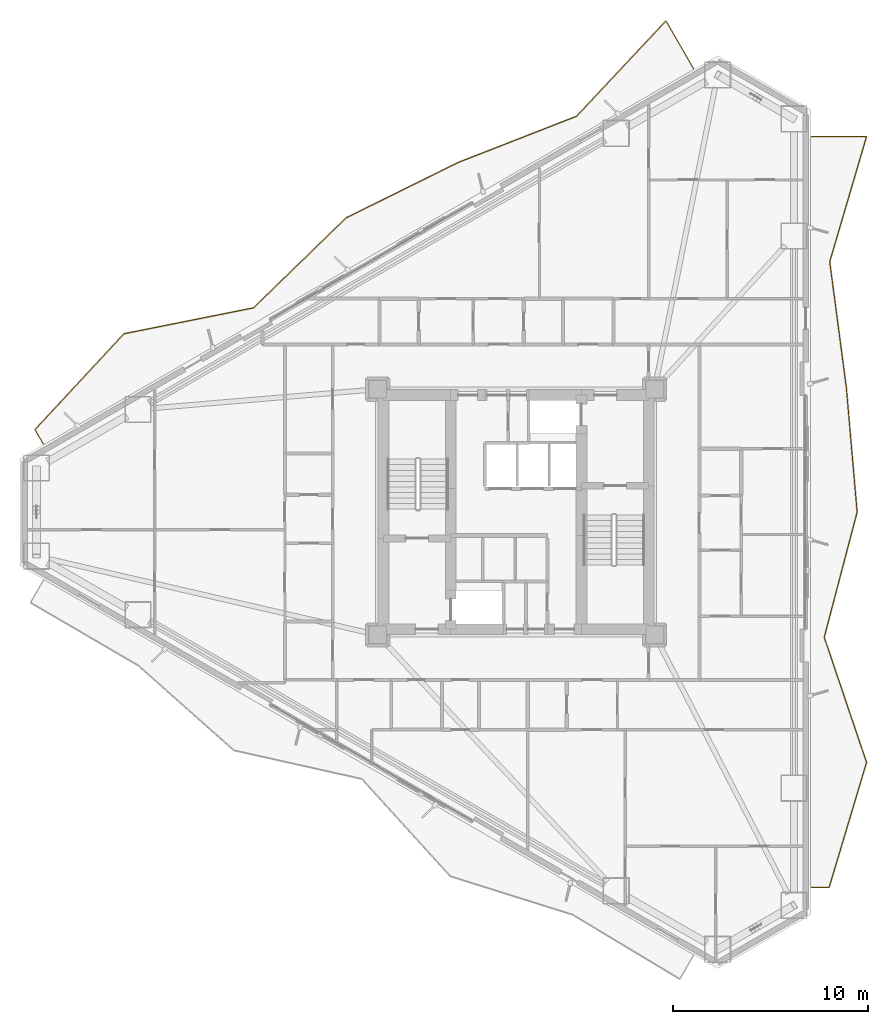
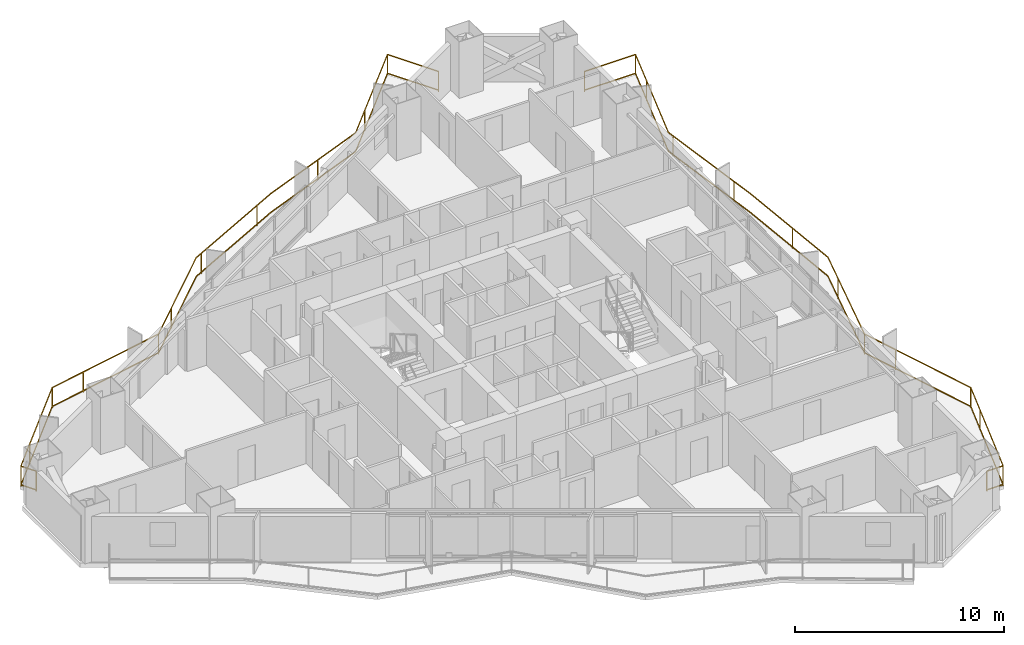
# One storey, part 19 of 19: 2 railings.
"""IFC4 building model written with IfcOpenShell, lengths in metres."""

from ifc_helpers import new_model, si_unit, direction, frame, origin, origin_2d, place, context, subcontext, project, spatial, rectangle, extrude, material, type_object, element, save


model = new_model("IFC4")

# Units and contexts
model_context = context("Model", 3, precision=1e-05, world=origin(), true_north=direction((0.0, 1.0)))
body_context = subcontext(model_context, "Body", "Model", "MODEL_VIEW")
ifc_project = project(units=[si_unit("LENGTHUNIT", "METRE"), si_unit("AREAUNIT", "SQUARE_METRE"), si_unit("VOLUMEUNIT", "CUBIC_METRE"), si_unit("PLANEANGLEUNIT", "RADIAN"), si_unit("MASSUNIT", "GRAM", prefix="KILO")], contexts=[model_context])

# Site, building, storey
site_placement = place(None, origin())
site = spatial("IfcSite", under=ifc_project, at=site_placement, CompositionType="ELEMENT")
building_placement = place(site_placement, origin())
building = spatial("IfcBuilding", under=site, at=building_placement, Name="Mersakhor Tower and Convention Hall", CompositionType="ELEMENT")
storey_placement = place(building_placement, frame((0.0, 0.0, 29.10009765625)))
storey = spatial("IfcBuildingStorey", under=building, at=storey_placement, Name="L07", CompositionType="ELEMENT", Elevation=29.10009765625)

# Railings
ifc_material = material(Name="Powder-coated galvanised steel and laminated glass balustrade", Category="steel")
railing_type = type_object("IfcRailingType", Name="RL-BAL-1200", PredefinedType="BALUSTRADE", material=ifc_material)
railing_1_placement = place(storey_placement, frame((38.099609375, 49.497314453125, 0.0)))
element("IfcRailing", 1, at=railing_1_placement, inside=storey, type_object=railing_type, Name="L07 Sinusoidal Balcony Balustrade F1", PredefinedType="BALUSTRADE", context=body_context, shape_type="SweptSolid", body=[
    extrude(rectangle(XDim=0.048095703125, YDim=0.048095703125, at=origin_2d()), frame((0.0, 0.0, 1.17578125), z_axis=(-0.500049687543, 0.865996714767, 0.0), x_axis=(-0.865996714767, -0.500049687543, 0.0)), (0.0, 0.0, 1.0), 2.820068359375),
    extrude(rectangle(XDim=0.048095703125, YDim=0.048095703125, at=origin_2d()), frame((0.0, 0.0, 0.080078125), z_axis=(-0.500049687543, 0.865996714767, 0.0), x_axis=(-0.865996714767, -0.500049687543, 0.0)), (0.0, 0.0, 1.0), 2.820068359375),
    extrude(rectangle(XDim=0.048095703125, YDim=0.048095703125, at=origin_2d()), frame((-1.41015625, 2.442138671875, 1.17578125), z_axis=(-0.683799430764, -0.729670020274, 0.0), x_axis=(0.729670020274, -0.683799430764, 0.0)), (0.0, 0.0, 1.0), 6.706298828125),
    extrude(rectangle(XDim=0.048095703125, YDim=0.048095703125, at=origin_2d()), frame((-1.41015625, 2.442138671875, 0.080078125), z_axis=(-0.683799430764, -0.729670020274, 0.0), x_axis=(0.729670020274, -0.683799430764, 0.0)), (0.0, 0.0, 1.0), 6.706298828125),
    extrude(rectangle(XDim=0.048095703125, YDim=0.048095703125, at=origin_2d()), frame((-5.995849609375, -2.451171875, 1.17578125), z_axis=(-0.931589111674, -0.363513035543, 0.0), x_axis=(0.363513035543, -0.931589111674, 0.0)), (0.0, 0.0, 1.0), 6.492431640625),
    extrude(rectangle(XDim=0.048095703125, YDim=0.048095703125, at=origin_2d()), frame((-5.995849609375, -2.451171875, 0.080078125), z_axis=(-0.931589111674, -0.363513035543, 0.0), x_axis=(0.363513035543, -0.931589111674, 0.0)), (0.0, 0.0, 1.0), 6.492431640625),
    extrude(rectangle(XDim=0.048095703125, YDim=0.048095703125, at=origin_2d()), frame((-12.044189453125, -4.811279296875, 1.17578125), z_axis=(-0.896595522929, -0.442850390384, 0.0), x_axis=(0.442850390384, -0.896595522929, 0.0)), (0.0, 0.0, 1.0), 6.431396484375),
    extrude(rectangle(XDim=0.048095703125, YDim=0.048095703125, at=origin_2d()), frame((-12.044189453125, -4.811279296875, 0.080078125), z_axis=(-0.896595522929, -0.442850390384, 0.0), x_axis=(0.442850390384, -0.896595522929, 0.0)), (0.0, 0.0, 1.0), 6.431396484375),
    extrude(rectangle(XDim=0.048095703125, YDim=0.048095703125, at=origin_2d()), frame((-17.810546875, -7.659423828125, 1.17578125), z_axis=(-0.717121373914, -0.69694830158, 0.0), x_axis=(0.69694830158, -0.717121373914, 0.0)), (0.0, 0.0, 1.0), 6.619873046875),
    extrude(rectangle(XDim=0.048095703125, YDim=0.048095703125, at=origin_2d()), frame((-17.810546875, -7.659423828125, 0.080078125), z_axis=(-0.717121373914, -0.69694830158, 0.0), x_axis=(0.69694830158, -0.717121373914, 0.0)), (0.0, 0.0, 1.0), 6.619873046875),
    extrude(rectangle(XDim=0.048095703125, YDim=0.048095703125, at=origin_2d()), frame((-22.557861328125, -12.273193359375, 1.17578125), z_axis=(-0.980552945517, -0.196254735071, 0.0), x_axis=(0.196254735071, -0.980552945517, 0.0)), (0.0, 0.0, 1.0), 6.77490234375),
    extrude(rectangle(XDim=0.048095703125, YDim=0.048095703125, at=origin_2d()), frame((-22.557861328125, -12.273193359375, 0.080078125), z_axis=(-0.980552945517, -0.196254735071, 0.0), x_axis=(0.196254735071, -0.980552945517, 0.0)), (0.0, 0.0, 1.0), 6.77490234375),
    extrude(rectangle(XDim=0.048095703125, YDim=0.048095703125, at=origin_2d()), frame((-29.200927734375, -13.602783203125, 1.17578125), z_axis=(-0.680596114132, -0.732658808333, 0.0), x_axis=(0.732658808333, -0.680596114132, 0.0)), (0.0, 0.0, 1.0), 6.715087890625),
    extrude(rectangle(XDim=0.048095703125, YDim=0.048095703125, at=origin_2d()), frame((-29.200927734375, -13.602783203125, 0.080078125), z_axis=(-0.680596114132, -0.732658808333, 0.0), x_axis=(0.732658808333, -0.680596114132, 0.0)), (0.0, 0.0, 1.0), 6.715087890625),
    extrude(rectangle(XDim=0.048095703125, YDim=0.048095703125, at=origin_2d()), frame((-33.771240234375, -18.522705078125, 1.17578125), z_axis=(0.499964420222, -0.866045944804, 0.0), x_axis=(0.866045944804, 0.499964420222, 0.0)), (0.0, 0.0, 1.0), 0.84423828125),
    extrude(rectangle(XDim=0.048095703125, YDim=0.048095703125, at=origin_2d()), frame((-33.771240234375, -18.522705078125, 0.080078125), z_axis=(0.499964420222, -0.866045944804, 0.0), x_axis=(0.866045944804, 0.499964420222, 0.0)), (0.0, 0.0, 1.0), 0.84423828125),
    extrude(rectangle(XDim=0.0419921875, YDim=0.0419921875, at=origin_2d()), origin(), (0.0, 0.0, 1.0), 1.15185546875),
    extrude(rectangle(XDim=0.0419921875, YDim=0.0419921875, at=origin_2d()), frame((-1.41015625, 2.442138671875, 0.0)), (0.0, 0.0, 1.0), 1.15185546875),
    extrude(rectangle(XDim=0.0419921875, YDim=0.0419921875, at=origin_2d()), frame((-4.6923828125, -1.060302734375, 0.0)), (0.0, 0.0, 1.0), 1.15185546875),
    extrude(rectangle(XDim=0.0419921875, YDim=0.0419921875, at=origin_2d()), frame((-8.691650390625, -3.503173828125, 0.0)), (0.0, 0.0, 1.0), 1.15185546875),
    extrude(rectangle(XDim=0.0419921875, YDim=0.0419921875, at=origin_2d()), frame((-13.121337890625, -5.34326171875, 0.0)), (0.0, 0.0, 1.0), 1.15185546875),
    extrude(rectangle(XDim=0.0419921875, YDim=0.0419921875, at=origin_2d()), frame((-17.425048828125, -7.468994140625, 0.0)), (0.0, 0.0, 1.0), 1.15185546875),
    extrude(rectangle(XDim=0.0419921875, YDim=0.0419921875, at=origin_2d()), frame((-20.9443359375, -10.705078125, 0.0)), (0.0, 0.0, 1.0), 1.15185546875),
    extrude(rectangle(XDim=0.0419921875, YDim=0.0419921875, at=origin_2d()), frame((-22.557861328125, -12.273193359375, 0.0)), (0.0, 0.0, 1.0), 1.15185546875),
    extrude(rectangle(XDim=0.0419921875, YDim=0.0419921875, at=origin_2d()), frame((-27.264404296875, -13.21533203125, 0.0)), (0.0, 0.0, 1.0), 1.15185546875),
    extrude(rectangle(XDim=0.0419921875, YDim=0.0419921875, at=origin_2d()), frame((-29.200927734375, -13.602783203125, 0.0)), (0.0, 0.0, 1.0), 1.15185546875),
    extrude(rectangle(XDim=0.0419921875, YDim=0.0419921875, at=origin_2d()), frame((-32.4677734375, -17.11962890625, 0.0)), (0.0, 0.0, 1.0), 1.15185546875),
    extrude(rectangle(XDim=0.0419921875, YDim=0.0419921875, at=origin_2d()), frame((-33.771240234375, -18.522705078125, 0.0)), (0.0, 0.0, 1.0), 1.15185546875),
    extrude(rectangle(XDim=0.0419921875, YDim=0.0419921875, at=origin_2d()), frame((-33.34912109375, -19.25390625, 0.0)), (0.0, 0.0, 1.0), 1.15185546875),
])
railing_2_placement = place(storey_placement, frame((44.14990234375, 7.49609375, 0.0)))
element("IfcRailing", 2, at=railing_2_placement, inside=storey, type_object=railing_type, Name="L07 Sinusoidal Balcony Balustrade F2", PredefinedType="BALUSTRADE", context=body_context, shape_type="SweptSolid", body=[
    extrude(rectangle(XDim=0.048095703125, YDim=0.048095703125, at=origin_2d()), frame((0.0, 0.0, 1.17578125), z_axis=(1.0, 0.0, 0.0), x_axis=(0.0, 1.0, 0.0)), (0.0, 0.0, 1.0), 0.8994140625),
    extrude(rectangle(XDim=0.048095703125, YDim=0.048095703125, at=origin_2d()), frame((0.0, 0.0, 0.080078125), z_axis=(1.0, 0.0, 0.0), x_axis=(0.0, 1.0, 0.0)), (0.0, 0.0, 1.0), 0.8994140625),
    extrude(rectangle(XDim=0.048095703125, YDim=0.048095703125, at=origin_2d()), frame((0.8994140625, 0.0, 1.17578125), z_axis=(0.286699196363, 0.958020652598, 0.0), x_axis=(-0.958020652598, 0.286699196363, 0.0)), (0.0, 0.0, 1.0), 6.69921875),
    extrude(rectangle(XDim=0.048095703125, YDim=0.048095703125, at=origin_2d()), frame((0.8994140625, 0.0, 0.080078125), z_axis=(0.286699196363, 0.958020652598, 0.0), x_axis=(-0.958020652598, 0.286699196363, 0.0)), (0.0, 0.0, 1.0), 6.69921875),
    extrude(rectangle(XDim=0.048095703125, YDim=0.048095703125, at=origin_2d()), frame((2.820068359375, 6.41796875, 1.17578125), z_axis=(-0.320289746531, 0.947319628355, 0.0), x_axis=(-0.947319628355, -0.320289746531, 0.0)), (0.0, 0.0, 1.0), 6.77490234375),
    extrude(rectangle(XDim=0.048095703125, YDim=0.048095703125, at=origin_2d()), frame((2.820068359375, 6.41796875, 0.080078125), z_axis=(-0.320289746531, 0.947319628355, 0.0), x_axis=(-0.947319628355, -0.320289746531, 0.0)), (0.0, 0.0, 1.0), 6.77490234375),
    extrude(rectangle(XDim=0.048095703125, YDim=0.048095703125, at=origin_2d()), frame((0.650146484375, 12.8359375, 1.17578125), z_axis=(0.254256062493, 0.967136936884, 0.0), x_axis=(-0.967136936884, 0.254256062493, 0.0)), (0.0, 0.0, 1.0), 6.635986328125),
    extrude(rectangle(XDim=0.048095703125, YDim=0.048095703125, at=origin_2d()), frame((0.650146484375, 12.8359375, 0.080078125), z_axis=(0.254256062493, 0.967136936884, 0.0), x_axis=(-0.967136936884, 0.254256062493, 0.0)), (0.0, 0.0, 1.0), 6.635986328125),
    extrude(rectangle(XDim=0.048095703125, YDim=0.048095703125, at=origin_2d()), frame((2.33740234375, 19.25390625, 1.17578125), z_axis=(-0.086444818795, 0.996256640281, 0.0), x_axis=(-0.996256640281, -0.086444818795, 0.0)), (0.0, 0.0, 1.0), 6.442138671875),
    extrude(rectangle(XDim=0.048095703125, YDim=0.048095703125, at=origin_2d()), frame((2.33740234375, 19.25390625, 0.080078125), z_axis=(-0.086444818795, 0.996256640281, 0.0), x_axis=(-0.996256640281, -0.086444818795, 0.0)), (0.0, 0.0, 1.0), 6.442138671875),
    extrude(rectangle(XDim=0.048095703125, YDim=0.048095703125, at=origin_2d()), frame((1.780517578125, 25.671875, 1.17578125), z_axis=(-0.131086629203, 0.991370917288, 0.0), x_axis=(-0.991370917288, -0.131086629203, 0.0)), (0.0, 0.0, 1.0), 6.473876953125),
    extrude(rectangle(XDim=0.048095703125, YDim=0.048095703125, at=origin_2d()), frame((1.780517578125, 25.671875, 0.080078125), z_axis=(-0.131086629203, 0.991370917288, 0.0), x_axis=(-0.991370917288, -0.131086629203, 0.0)), (0.0, 0.0, 1.0), 6.473876953125),
    extrude(rectangle(XDim=0.048095703125, YDim=0.048095703125, at=origin_2d()), frame((0.931884765625, 32.08984375, 1.17578125), z_axis=(0.282241402291, 0.959343416527, 0.0), x_axis=(-0.959343416527, 0.282241402291, 0.0)), (0.0, 0.0, 1.0), 6.68994140625),
    extrude(rectangle(XDim=0.048095703125, YDim=0.048095703125, at=origin_2d()), frame((0.931884765625, 32.08984375, 0.080078125), z_axis=(0.282241402291, 0.959343416527, 0.0), x_axis=(-0.959343416527, 0.282241402291, 0.0)), (0.0, 0.0, 1.0), 6.68994140625),
    extrude(rectangle(XDim=0.048095703125, YDim=0.048095703125, at=origin_2d()), frame((2.820068359375, 38.5078125, 1.17578125), z_axis=(-1.0, 0.0, 0.0), x_axis=(0.0, -1.0, 0.0)), (0.0, 0.0, 1.0), 2.820068359375),
    extrude(rectangle(XDim=0.048095703125, YDim=0.048095703125, at=origin_2d()), frame((2.820068359375, 38.5078125, 0.080078125), z_axis=(-1.0, 0.0, 0.0), x_axis=(0.0, -1.0, 0.0)), (0.0, 0.0, 1.0), 2.820068359375),
    extrude(rectangle(XDim=0.0419921875, YDim=0.0419921875, at=origin_2d()), origin(), (0.0, 0.0, 1.0), 1.15185546875),
    extrude(rectangle(XDim=0.0419921875, YDim=0.0419921875, at=origin_2d()), frame((0.8994140625, 0.0, 0.0)), (0.0, 0.0, 1.0), 1.15185546875),
    extrude(rectangle(XDim=0.0419921875, YDim=0.0419921875, at=origin_2d()), frame((2.275634765625, 4.598388671875, 0.0)), (0.0, 0.0, 1.0), 1.15185546875),
    extrude(rectangle(XDim=0.0419921875, YDim=0.0419921875, at=origin_2d()), frame((2.820068359375, 6.41796875, 0.0)), (0.0, 0.0, 1.0), 1.15185546875),
    extrude(rectangle(XDim=0.0419921875, YDim=0.0419921875, at=origin_2d()), frame((1.28271484375, 10.965087890625, 0.0)), (0.0, 0.0, 1.0), 1.15185546875),
    extrude(rectangle(XDim=0.0419921875, YDim=0.0419921875, at=origin_2d()), frame((0.650146484375, 12.8359375, 0.0)), (0.0, 0.0, 1.0), 1.15185546875),
    extrude(rectangle(XDim=0.0419921875, YDim=0.0419921875, at=origin_2d()), frame((1.87060546875, 17.478271484375, 0.0)), (0.0, 0.0, 1.0), 1.15185546875),
    extrude(rectangle(XDim=0.0419921875, YDim=0.0419921875, at=origin_2d()), frame((2.081298828125, 22.206787109375, 0.0)), (0.0, 0.0, 1.0), 1.15185546875),
    extrude(rectangle(XDim=0.0419921875, YDim=0.0419921875, at=origin_2d()), frame((1.607177734375, 26.982421875, 0.0)), (0.0, 0.0, 1.0), 1.15185546875),
    extrude(rectangle(XDim=0.0419921875, YDim=0.0419921875, at=origin_2d()), frame((0.97802734375, 31.740966796875, 0.0)), (0.0, 0.0, 1.0), 1.15185546875),
    extrude(rectangle(XDim=0.0419921875, YDim=0.0419921875, at=origin_2d()), frame((2.187255859375, 36.35693359375, 0.0)), (0.0, 0.0, 1.0), 1.15185546875),
    extrude(rectangle(XDim=0.0419921875, YDim=0.0419921875, at=origin_2d()), frame((2.820068359375, 38.5078125, 0.0)), (0.0, 0.0, 1.0), 1.15185546875),
    extrude(rectangle(XDim=0.0419921875, YDim=0.0419921875, at=origin_2d()), frame((0.0, 38.5078125, 0.0)), (0.0, 0.0, 1.0), 1.15185546875),
])

save(model, "model.ifc")
